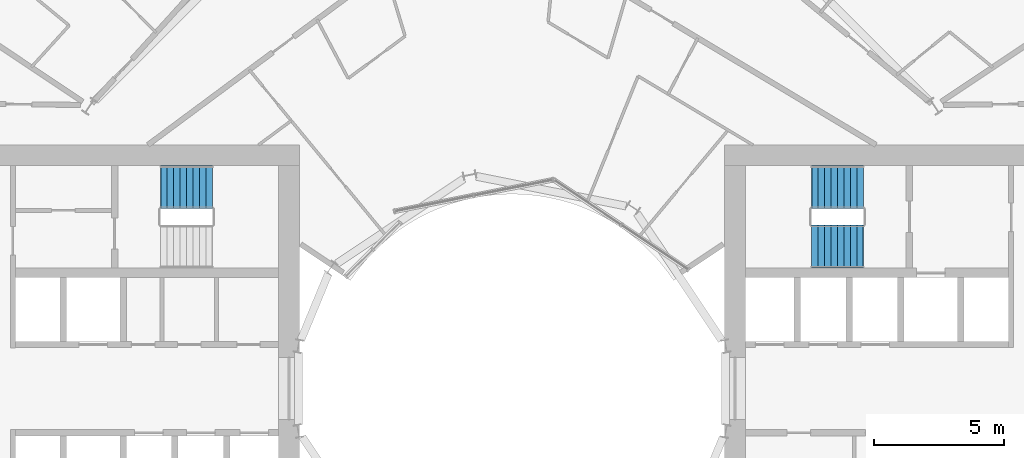
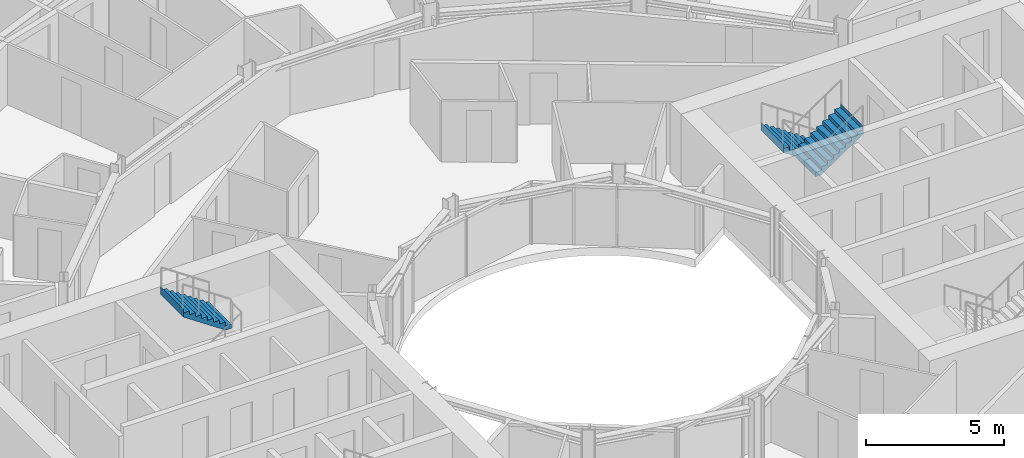
# One storey, part 24 of 26: 3 stair flights, 2 elements without a shape of their own.
"""IFC4 building model written with IfcOpenShell, lengths in metres."""

from ifc_helpers import new_model, si_unit, direction, frame, origin, place, context, subcontext, project, spatial, triangles, material, type_object, element, aggregate, save


model = new_model("IFC4")

# Units and contexts
model_context = context("Model", 3, precision=1e-05, world=origin(), true_north=direction((0.0, 1.0)))
body_context = subcontext(model_context, "Body", "Model", "MODEL_VIEW")
ifc_project = project(units=[si_unit("LENGTHUNIT", "METRE"), si_unit("AREAUNIT", "SQUARE_METRE"), si_unit("VOLUMEUNIT", "CUBIC_METRE"), si_unit("PLANEANGLEUNIT", "RADIAN"), si_unit("MASSUNIT", "GRAM", prefix="KILO")], contexts=[model_context])

# Site, building, storey
site_placement = place(None, origin())
site = spatial("IfcSite", under=ifc_project, at=site_placement, CompositionType="ELEMENT")
building_placement = place(site_placement, origin())
building = spatial("IfcBuilding", under=site, at=building_placement, Name="Maasbend Ring Residences", CompositionType="ELEMENT")
storey_placement = place(building_placement, frame((0.0, 0.0, 50.25)))
storey = spatial("IfcBuildingStorey", under=building, at=storey_placement, Name="L14", CompositionType="ELEMENT", Elevation=50.25)

# Stair, stair flights
ifc_material_1 = material(Name="Concrete C40/50", Category="concrete")
stair_type = type_object("IfcStairType", Name="CORE STAIR 18 RISERS", PredefinedType="HALF_TURN_STAIR", material=ifc_material_1)
stair_1_placement = place(storey_placement, origin())
stair_1 = element("IfcStair", 1, at=stair_1_placement, inside=storey, type_object=stair_type, Name="L14 Exit stair ST-E1", PredefinedType="HALF_TURN_STAIR")
ifc_material_2 = material(Name="Concrete C40/50", Category="concrete")
stair_flight_type = type_object("IfcStairFlightType", Name="CORE STAIR FLIGHT 1650", PredefinedType="STRAIGHT", material=ifc_material_2)
stair_flight_1_placement = place(storey_placement, frame((13.550048828125, 7.77490234375, 0.0), z_axis=(0.0, 0.0, 1.0), x_axis=(-1.0, 0.0, 0.0)))
stair_flight_1 = element("IfcStairFlight", 2, at=stair_flight_1_placement, type_object=stair_flight_type, Name="ST-E1 flight 1", NumberOfRisers=9, NumberOfTreads=8, PredefinedType="STRAIGHT", RiserHeight=0.169444444, TreadLength=0.25, context=body_context, shape_type="Tessellation", body=[
    triangles([(0.24072265625, 0.824951171875, -0.02001953125), (2.0029296875, 0.824951171875, 1.174560546875), (2.0029296875, 0.824951171875, 1.52490234375), (1.989990234375, 0.824951171875, 1.35546875), (1.75, 0.824951171875, 1.35546875), (1.75, 0.824951171875, 1.18603515625), (1.5, 0.824951171875, 1.18603515625), (1.5, 0.824951171875, 1.0166015625), (1.25, 0.824951171875, 1.0166015625), (1.25, 0.824951171875, 0.84716796875), (1.0, 0.824951171875, 0.84716796875), (1.0, 0.824951171875, 0.677734375), (0.75, 0.824951171875, 0.677734375), (0.75, 0.824951171875, 0.50830078125), (0.5, 0.824951171875, 0.50830078125), (0.5, 0.824951171875, 0.3388671875), (0.25, 0.824951171875, 0.3388671875), (0.25, 0.824951171875, 0.16943359375), (0.0, 0.824951171875, 0.16943359375), (0.0, 0.824951171875, 0.0), (-0.0029296875, 0.824951171875, 0.0), (-0.0029296875, 0.824951171875, -0.02001953125), (0.24072265625, 0.27490234375, -0.02001953125), (2.0029296875, 0.27490234375, 1.174560546875), (2.0029296875, 0.27490234375, 1.52490234375), (1.989990234375, 0.27490234375, 1.35546875), (1.75, 0.27490234375, 1.35546875), (1.75, 0.27490234375, 1.18603515625), (1.5, 0.27490234375, 1.18603515625), (1.5, 0.27490234375, 1.0166015625), (1.25, 0.27490234375, 1.0166015625), (1.25, 0.27490234375, 0.84716796875), (1.0, 0.27490234375, 0.84716796875), (1.0, 0.27490234375, 0.677734375), (0.75, 0.27490234375, 0.677734375), (0.75, 0.27490234375, 0.50830078125), (0.5, 0.27490234375, 0.50830078125), (0.5, 0.27490234375, 0.3388671875), (0.25, 0.27490234375, 0.3388671875), (0.25, 0.27490234375, 0.16943359375), (0.0, 0.27490234375, 0.16943359375), (0.0, 0.27490234375, 0.0), (-0.0029296875, 0.27490234375, 0.0), (-0.0029296875, 0.27490234375, -0.02001953125), (0.24072265625, -0.27490234375, -0.02001953125), (2.0029296875, -0.27490234375, 1.174560546875), (2.0029296875, -0.27490234375, 1.52490234375), (1.989990234375, -0.27490234375, 1.35546875), (1.75, -0.27490234375, 1.35546875), (1.75, -0.27490234375, 1.18603515625), (1.5, -0.27490234375, 1.18603515625), (1.5, -0.27490234375, 1.0166015625), (1.25, -0.27490234375, 1.0166015625), (1.25, -0.27490234375, 0.84716796875), (1.0, -0.27490234375, 0.84716796875), (1.0, -0.27490234375, 0.677734375), (0.75, -0.27490234375, 0.677734375), (0.75, -0.27490234375, 0.50830078125), (0.5, -0.27490234375, 0.50830078125), (0.5, -0.27490234375, 0.3388671875), (0.25, -0.27490234375, 0.3388671875), (0.25, -0.27490234375, 0.16943359375), (0.0, -0.27490234375, 0.16943359375), (0.0, -0.27490234375, 0.0), (-0.0029296875, -0.27490234375, 0.0), (-0.0029296875, -0.27490234375, -0.02001953125), (0.24072265625, -0.824951171875, -0.02001953125), (2.0029296875, -0.824951171875, 1.174560546875), (2.0029296875, -0.824951171875, 1.52490234375), (1.989990234375, -0.824951171875, 1.35546875), (1.75, -0.824951171875, 1.35546875), (1.75, -0.824951171875, 1.18603515625), (1.5, -0.824951171875, 1.18603515625), (1.5, -0.824951171875, 1.0166015625), (1.25, -0.824951171875, 1.0166015625), (1.25, -0.824951171875, 0.84716796875), (1.0, -0.824951171875, 0.84716796875), (1.0, -0.824951171875, 0.677734375), (0.75, -0.824951171875, 0.677734375), (0.75, -0.824951171875, 0.50830078125), (0.5, -0.824951171875, 0.50830078125), (0.5, -0.824951171875, 0.3388671875), (0.25, -0.824951171875, 0.3388671875), (0.25, -0.824951171875, 0.16943359375), (0.0, -0.824951171875, 0.16943359375), (0.0, -0.824951171875, 0.0), (-0.0029296875, -0.824951171875, 0.0), (-0.0029296875, -0.824951171875, -0.02001953125)], [[1, 2, 24], [1, 24, 23], [23, 24, 46], [23, 46, 45], [45, 46, 68], [45, 68, 67], [2, 3, 25], [2, 25, 24], [24, 25, 47], [24, 47, 46], [46, 47, 69], [46, 69, 68], [3, 4, 26], [3, 26, 25], [25, 26, 48], [25, 48, 47], [47, 48, 70], [47, 70, 69], [4, 5, 27], [4, 27, 26], [26, 27, 49], [26, 49, 48], [48, 49, 71], [48, 71, 70], [5, 6, 28], [5, 28, 27], [27, 28, 50], [27, 50, 49], [49, 50, 72], [49, 72, 71], [6, 7, 29], [6, 29, 28], [28, 29, 51], [28, 51, 50], [50, 51, 73], [50, 73, 72], [7, 8, 30], [7, 30, 29], [29, 30, 52], [29, 52, 51], [51, 52, 74], [51, 74, 73], [8, 9, 31], [8, 31, 30], [30, 31, 53], [30, 53, 52], [52, 53, 75], [52, 75, 74], [9, 10, 32], [9, 32, 31], [31, 32, 54], [31, 54, 53], [53, 54, 76], [53, 76, 75], [10, 11, 33], [10, 33, 32], [32, 33, 55], [32, 55, 54], [54, 55, 77], [54, 77, 76], [11, 12, 34], [11, 34, 33], [33, 34, 56], [33, 56, 55], [55, 56, 78], [55, 78, 77], [12, 13, 35], [12, 35, 34], [34, 35, 57], [34, 57, 56], [56, 57, 79], [56, 79, 78], [13, 14, 36], [13, 36, 35], [35, 36, 58], [35, 58, 57], [57, 58, 80], [57, 80, 79], [14, 15, 37], [14, 37, 36], [36, 37, 59], [36, 59, 58], [58, 59, 81], [58, 81, 80], [15, 16, 38], [15, 38, 37], [37, 38, 60], [37, 60, 59], [59, 60, 82], [59, 82, 81], [16, 17, 39], [16, 39, 38], [38, 39, 61], [38, 61, 60], [60, 61, 83], [60, 83, 82], [17, 18, 40], [17, 40, 39], [39, 40, 62], [39, 62, 61], [61, 62, 84], [61, 84, 83], [18, 19, 41], [18, 41, 40], [40, 41, 63], [40, 63, 62], [62, 63, 85], [62, 85, 84], [19, 20, 42], [19, 42, 41], [41, 42, 64], [41, 64, 63], [63, 64, 86], [63, 86, 85], [20, 21, 43], [20, 43, 42], [42, 43, 65], [42, 65, 64], [64, 65, 87], [64, 87, 86], [21, 22, 44], [21, 44, 43], [43, 44, 66], [43, 66, 65], [65, 66, 88], [65, 88, 87], [22, 1, 23], [22, 23, 44], [44, 23, 45], [44, 45, 66], [66, 45, 67], [66, 67, 88], [22, 2, 1], [2, 4, 3], [2, 5, 4], [2, 6, 5], [22, 6, 2], [6, 8, 7], [22, 8, 6], [8, 10, 9], [22, 10, 8], [10, 12, 11], [22, 12, 10], [12, 14, 13], [22, 14, 12], [14, 16, 15], [22, 16, 14], [16, 18, 17], [22, 18, 16], [18, 20, 19], [22, 20, 18], [20, 22, 21], [88, 67, 68], [68, 69, 70], [68, 70, 71], [68, 71, 72], [88, 68, 72], [72, 73, 74], [88, 72, 74], [74, 75, 76], [88, 74, 76], [76, 77, 78], [88, 76, 78], [78, 79, 80], [88, 78, 80], [80, 81, 82], [88, 80, 82], [82, 83, 84], [88, 82, 84], [84, 85, 86], [88, 84, 86], [86, 87, 88]], closed=True),
])
stair_flight_2_placement = place(storey_placement, frame((11.550048828125, 5.47509765625, 1.52490234375), z_axis=(0.0, 0.0, 1.0), x_axis=(1.0, 0.0, 0.0)))
stair_flight_2 = element("IfcStairFlight", 3, at=stair_flight_2_placement, type_object=stair_flight_type, Name="ST-E1 flight 2", NumberOfRisers=9, NumberOfTreads=8, PredefinedType="STRAIGHT", RiserHeight=0.169444444, TreadLength=0.25, context=body_context, shape_type="Tessellation", body=[
    triangles([(0.24072265625, 0.824951171875, -0.02001953125), (2.0029296875, 0.824951171875, 1.174560546875), (2.0029296875, 0.824951171875, 1.52490234375), (1.989990234375, 0.824951171875, 1.35546875), (1.75, 0.824951171875, 1.35546875), (1.75, 0.824951171875, 1.18603515625), (1.5, 0.824951171875, 1.18603515625), (1.5, 0.824951171875, 1.0166015625), (1.25, 0.824951171875, 1.0166015625), (1.25, 0.824951171875, 0.84716796875), (1.0, 0.824951171875, 0.84716796875), (1.0, 0.824951171875, 0.677734375), (0.75, 0.824951171875, 0.677734375), (0.75, 0.824951171875, 0.50830078125), (0.5, 0.824951171875, 0.50830078125), (0.5, 0.824951171875, 0.3388671875), (0.25, 0.824951171875, 0.3388671875), (0.25, 0.824951171875, 0.16943359375), (0.0, 0.824951171875, 0.16943359375), (0.0, 0.824951171875, 0.0), (-0.0029296875, 0.824951171875, 0.0), (-0.0029296875, 0.824951171875, -0.02001953125), (0.24072265625, 0.27490234375, -0.02001953125), (2.0029296875, 0.27490234375, 1.174560546875), (2.0029296875, 0.27490234375, 1.52490234375), (1.989990234375, 0.27490234375, 1.35546875), (1.75, 0.27490234375, 1.35546875), (1.75, 0.27490234375, 1.18603515625), (1.5, 0.27490234375, 1.18603515625), (1.5, 0.27490234375, 1.0166015625), (1.25, 0.27490234375, 1.0166015625), (1.25, 0.27490234375, 0.84716796875), (1.0, 0.27490234375, 0.84716796875), (1.0, 0.27490234375, 0.677734375), (0.75, 0.27490234375, 0.677734375), (0.75, 0.27490234375, 0.50830078125), (0.5, 0.27490234375, 0.50830078125), (0.5, 0.27490234375, 0.3388671875), (0.25, 0.27490234375, 0.3388671875), (0.25, 0.27490234375, 0.16943359375), (0.0, 0.27490234375, 0.16943359375), (0.0, 0.27490234375, 0.0), (-0.0029296875, 0.27490234375, 0.0), (-0.0029296875, 0.27490234375, -0.02001953125), (0.24072265625, -0.27490234375, -0.02001953125), (2.0029296875, -0.27490234375, 1.174560546875), (2.0029296875, -0.27490234375, 1.52490234375), (1.989990234375, -0.27490234375, 1.35546875), (1.75, -0.27490234375, 1.35546875), (1.75, -0.27490234375, 1.18603515625), (1.5, -0.27490234375, 1.18603515625), (1.5, -0.27490234375, 1.0166015625), (1.25, -0.27490234375, 1.0166015625), (1.25, -0.27490234375, 0.84716796875), (1.0, -0.27490234375, 0.84716796875), (1.0, -0.27490234375, 0.677734375), (0.75, -0.27490234375, 0.677734375), (0.75, -0.27490234375, 0.50830078125), (0.5, -0.27490234375, 0.50830078125), (0.5, -0.27490234375, 0.3388671875), (0.25, -0.27490234375, 0.3388671875), (0.25, -0.27490234375, 0.16943359375), (0.0, -0.27490234375, 0.16943359375), (0.0, -0.27490234375, 0.0), (-0.0029296875, -0.27490234375, 0.0), (-0.0029296875, -0.27490234375, -0.02001953125), (0.24072265625, -0.824951171875, -0.02001953125), (2.0029296875, -0.824951171875, 1.174560546875), (2.0029296875, -0.824951171875, 1.52490234375), (1.989990234375, -0.824951171875, 1.35546875), (1.75, -0.824951171875, 1.35546875), (1.75, -0.824951171875, 1.18603515625), (1.5, -0.824951171875, 1.18603515625), (1.5, -0.824951171875, 1.0166015625), (1.25, -0.824951171875, 1.0166015625), (1.25, -0.824951171875, 0.84716796875), (1.0, -0.824951171875, 0.84716796875), (1.0, -0.824951171875, 0.677734375), (0.75, -0.824951171875, 0.677734375), (0.75, -0.824951171875, 0.50830078125), (0.5, -0.824951171875, 0.50830078125), (0.5, -0.824951171875, 0.3388671875), (0.25, -0.824951171875, 0.3388671875), (0.25, -0.824951171875, 0.16943359375), (0.0, -0.824951171875, 0.16943359375), (0.0, -0.824951171875, 0.0), (-0.0029296875, -0.824951171875, 0.0), (-0.0029296875, -0.824951171875, -0.02001953125)], [[1, 2, 24], [1, 24, 23], [23, 24, 46], [23, 46, 45], [45, 46, 68], [45, 68, 67], [2, 3, 25], [2, 25, 24], [24, 25, 47], [24, 47, 46], [46, 47, 69], [46, 69, 68], [3, 4, 26], [3, 26, 25], [25, 26, 48], [25, 48, 47], [47, 48, 70], [47, 70, 69], [4, 5, 27], [4, 27, 26], [26, 27, 49], [26, 49, 48], [48, 49, 71], [48, 71, 70], [5, 6, 28], [5, 28, 27], [27, 28, 50], [27, 50, 49], [49, 50, 72], [49, 72, 71], [6, 7, 29], [6, 29, 28], [28, 29, 51], [28, 51, 50], [50, 51, 73], [50, 73, 72], [7, 8, 30], [7, 30, 29], [29, 30, 52], [29, 52, 51], [51, 52, 74], [51, 74, 73], [8, 9, 31], [8, 31, 30], [30, 31, 53], [30, 53, 52], [52, 53, 75], [52, 75, 74], [9, 10, 32], [9, 32, 31], [31, 32, 54], [31, 54, 53], [53, 54, 76], [53, 76, 75], [10, 11, 33], [10, 33, 32], [32, 33, 55], [32, 55, 54], [54, 55, 77], [54, 77, 76], [11, 12, 34], [11, 34, 33], [33, 34, 56], [33, 56, 55], [55, 56, 78], [55, 78, 77], [12, 13, 35], [12, 35, 34], [34, 35, 57], [34, 57, 56], [56, 57, 79], [56, 79, 78], [13, 14, 36], [13, 36, 35], [35, 36, 58], [35, 58, 57], [57, 58, 80], [57, 80, 79], [14, 15, 37], [14, 37, 36], [36, 37, 59], [36, 59, 58], [58, 59, 81], [58, 81, 80], [15, 16, 38], [15, 38, 37], [37, 38, 60], [37, 60, 59], [59, 60, 82], [59, 82, 81], [16, 17, 39], [16, 39, 38], [38, 39, 61], [38, 61, 60], [60, 61, 83], [60, 83, 82], [17, 18, 40], [17, 40, 39], [39, 40, 62], [39, 62, 61], [61, 62, 84], [61, 84, 83], [18, 19, 41], [18, 41, 40], [40, 41, 63], [40, 63, 62], [62, 63, 85], [62, 85, 84], [19, 20, 42], [19, 42, 41], [41, 42, 64], [41, 64, 63], [63, 64, 86], [63, 86, 85], [20, 21, 43], [20, 43, 42], [42, 43, 65], [42, 65, 64], [64, 65, 87], [64, 87, 86], [21, 22, 44], [21, 44, 43], [43, 44, 66], [43, 66, 65], [65, 66, 88], [65, 88, 87], [22, 1, 23], [22, 23, 44], [44, 23, 45], [44, 45, 66], [66, 45, 67], [66, 67, 88], [22, 2, 1], [2, 4, 3], [2, 5, 4], [2, 6, 5], [22, 6, 2], [6, 8, 7], [22, 8, 6], [8, 10, 9], [22, 10, 8], [10, 12, 11], [22, 12, 10], [12, 14, 13], [22, 14, 12], [14, 16, 15], [22, 16, 14], [16, 18, 17], [22, 18, 16], [18, 20, 19], [22, 20, 18], [20, 22, 21], [88, 67, 68], [68, 69, 70], [68, 70, 71], [68, 71, 72], [88, 68, 72], [72, 73, 74], [88, 72, 74], [74, 75, 76], [88, 74, 76], [76, 77, 78], [88, 76, 78], [78, 79, 80], [88, 78, 80], [80, 81, 82], [88, 80, 82], [82, 83, 84], [88, 82, 84], [84, 85, 86], [88, 84, 86], [86, 87, 88]], closed=True),
])
aggregate(stair_1, [stair_flight_1, stair_flight_2])

# Stair, stair flight
stair_2_placement = place(storey_placement, origin())
stair_2 = element("IfcStair", 4, at=stair_2_placement, inside=storey, type_object=stair_type, Name="L14 Exit stair ST-W2", PredefinedType="HALF_TURN_STAIR")
stair_flight_3_placement = place(storey_placement, frame((-11.550048828125, 7.77490234375, 1.52490234375), z_axis=(0.0, 0.0, 1.0), x_axis=(-1.0, 0.0, 0.0)))
stair_flight_3 = element("IfcStairFlight", 5, at=stair_flight_3_placement, type_object=stair_flight_type, Name="ST-W2 flight 2", NumberOfRisers=9, NumberOfTreads=8, PredefinedType="STRAIGHT", RiserHeight=0.169444444, TreadLength=0.25, context=body_context, shape_type="Tessellation", body=[
    triangles([(0.24072265625, 0.824951171875, -0.02001953125), (2.0029296875, 0.824951171875, 1.174560546875), (2.0029296875, 0.824951171875, 1.52490234375), (1.989990234375, 0.824951171875, 1.35546875), (1.75, 0.824951171875, 1.35546875), (1.75, 0.824951171875, 1.18603515625), (1.5, 0.824951171875, 1.18603515625), (1.5, 0.824951171875, 1.0166015625), (1.25, 0.824951171875, 1.0166015625), (1.25, 0.824951171875, 0.84716796875), (1.0, 0.824951171875, 0.84716796875), (1.0, 0.824951171875, 0.677734375), (0.75, 0.824951171875, 0.677734375), (0.75, 0.824951171875, 0.50830078125), (0.5, 0.824951171875, 0.50830078125), (0.5, 0.824951171875, 0.3388671875), (0.25, 0.824951171875, 0.3388671875), (0.25, 0.824951171875, 0.16943359375), (0.0, 0.824951171875, 0.16943359375), (0.0, 0.824951171875, 0.0), (-0.0029296875, 0.824951171875, 0.0), (-0.0029296875, 0.824951171875, -0.02001953125), (0.24072265625, 0.27490234375, -0.02001953125), (2.0029296875, 0.27490234375, 1.174560546875), (2.0029296875, 0.27490234375, 1.52490234375), (1.989990234375, 0.27490234375, 1.35546875), (1.75, 0.27490234375, 1.35546875), (1.75, 0.27490234375, 1.18603515625), (1.5, 0.27490234375, 1.18603515625), (1.5, 0.27490234375, 1.0166015625), (1.25, 0.27490234375, 1.0166015625), (1.25, 0.27490234375, 0.84716796875), (1.0, 0.27490234375, 0.84716796875), (1.0, 0.27490234375, 0.677734375), (0.75, 0.27490234375, 0.677734375), (0.75, 0.27490234375, 0.50830078125), (0.5, 0.27490234375, 0.50830078125), (0.5, 0.27490234375, 0.3388671875), (0.25, 0.27490234375, 0.3388671875), (0.25, 0.27490234375, 0.16943359375), (0.0, 0.27490234375, 0.16943359375), (0.0, 0.27490234375, 0.0), (-0.0029296875, 0.27490234375, 0.0), (-0.0029296875, 0.27490234375, -0.02001953125), (0.24072265625, -0.27490234375, -0.02001953125), (2.0029296875, -0.27490234375, 1.174560546875), (2.0029296875, -0.27490234375, 1.52490234375), (1.989990234375, -0.27490234375, 1.35546875), (1.75, -0.27490234375, 1.35546875), (1.75, -0.27490234375, 1.18603515625), (1.5, -0.27490234375, 1.18603515625), (1.5, -0.27490234375, 1.0166015625), (1.25, -0.27490234375, 1.0166015625), (1.25, -0.27490234375, 0.84716796875), (1.0, -0.27490234375, 0.84716796875), (1.0, -0.27490234375, 0.677734375), (0.75, -0.27490234375, 0.677734375), (0.75, -0.27490234375, 0.50830078125), (0.5, -0.27490234375, 0.50830078125), (0.5, -0.27490234375, 0.3388671875), (0.25, -0.27490234375, 0.3388671875), (0.25, -0.27490234375, 0.16943359375), (0.0, -0.27490234375, 0.16943359375), (0.0, -0.27490234375, 0.0), (-0.0029296875, -0.27490234375, 0.0), (-0.0029296875, -0.27490234375, -0.02001953125), (0.24072265625, -0.824951171875, -0.02001953125), (2.0029296875, -0.824951171875, 1.174560546875), (2.0029296875, -0.824951171875, 1.52490234375), (1.989990234375, -0.824951171875, 1.35546875), (1.75, -0.824951171875, 1.35546875), (1.75, -0.824951171875, 1.18603515625), (1.5, -0.824951171875, 1.18603515625), (1.5, -0.824951171875, 1.0166015625), (1.25, -0.824951171875, 1.0166015625), (1.25, -0.824951171875, 0.84716796875), (1.0, -0.824951171875, 0.84716796875), (1.0, -0.824951171875, 0.677734375), (0.75, -0.824951171875, 0.677734375), (0.75, -0.824951171875, 0.50830078125), (0.5, -0.824951171875, 0.50830078125), (0.5, -0.824951171875, 0.3388671875), (0.25, -0.824951171875, 0.3388671875), (0.25, -0.824951171875, 0.16943359375), (0.0, -0.824951171875, 0.16943359375), (0.0, -0.824951171875, 0.0), (-0.0029296875, -0.824951171875, 0.0), (-0.0029296875, -0.824951171875, -0.02001953125)], [[1, 2, 24], [1, 24, 23], [23, 24, 46], [23, 46, 45], [45, 46, 68], [45, 68, 67], [2, 3, 25], [2, 25, 24], [24, 25, 47], [24, 47, 46], [46, 47, 69], [46, 69, 68], [3, 4, 26], [3, 26, 25], [25, 26, 48], [25, 48, 47], [47, 48, 70], [47, 70, 69], [4, 5, 27], [4, 27, 26], [26, 27, 49], [26, 49, 48], [48, 49, 71], [48, 71, 70], [5, 6, 28], [5, 28, 27], [27, 28, 50], [27, 50, 49], [49, 50, 72], [49, 72, 71], [6, 7, 29], [6, 29, 28], [28, 29, 51], [28, 51, 50], [50, 51, 73], [50, 73, 72], [7, 8, 30], [7, 30, 29], [29, 30, 52], [29, 52, 51], [51, 52, 74], [51, 74, 73], [8, 9, 31], [8, 31, 30], [30, 31, 53], [30, 53, 52], [52, 53, 75], [52, 75, 74], [9, 10, 32], [9, 32, 31], [31, 32, 54], [31, 54, 53], [53, 54, 76], [53, 76, 75], [10, 11, 33], [10, 33, 32], [32, 33, 55], [32, 55, 54], [54, 55, 77], [54, 77, 76], [11, 12, 34], [11, 34, 33], [33, 34, 56], [33, 56, 55], [55, 56, 78], [55, 78, 77], [12, 13, 35], [12, 35, 34], [34, 35, 57], [34, 57, 56], [56, 57, 79], [56, 79, 78], [13, 14, 36], [13, 36, 35], [35, 36, 58], [35, 58, 57], [57, 58, 80], [57, 80, 79], [14, 15, 37], [14, 37, 36], [36, 37, 59], [36, 59, 58], [58, 59, 81], [58, 81, 80], [15, 16, 38], [15, 38, 37], [37, 38, 60], [37, 60, 59], [59, 60, 82], [59, 82, 81], [16, 17, 39], [16, 39, 38], [38, 39, 61], [38, 61, 60], [60, 61, 83], [60, 83, 82], [17, 18, 40], [17, 40, 39], [39, 40, 62], [39, 62, 61], [61, 62, 84], [61, 84, 83], [18, 19, 41], [18, 41, 40], [40, 41, 63], [40, 63, 62], [62, 63, 85], [62, 85, 84], [19, 20, 42], [19, 42, 41], [41, 42, 64], [41, 64, 63], [63, 64, 86], [63, 86, 85], [20, 21, 43], [20, 43, 42], [42, 43, 65], [42, 65, 64], [64, 65, 87], [64, 87, 86], [21, 22, 44], [21, 44, 43], [43, 44, 66], [43, 66, 65], [65, 66, 88], [65, 88, 87], [22, 1, 23], [22, 23, 44], [44, 23, 45], [44, 45, 66], [66, 45, 67], [66, 67, 88], [22, 2, 1], [2, 4, 3], [2, 5, 4], [2, 6, 5], [22, 6, 2], [6, 8, 7], [22, 8, 6], [8, 10, 9], [22, 10, 8], [10, 12, 11], [22, 12, 10], [12, 14, 13], [22, 14, 12], [14, 16, 15], [22, 16, 14], [16, 18, 17], [22, 18, 16], [18, 20, 19], [22, 20, 18], [20, 22, 21], [88, 67, 68], [68, 69, 70], [68, 70, 71], [68, 71, 72], [88, 68, 72], [72, 73, 74], [88, 72, 74], [74, 75, 76], [88, 74, 76], [76, 77, 78], [88, 76, 78], [78, 79, 80], [88, 78, 80], [80, 81, 82], [88, 80, 82], [82, 83, 84], [88, 82, 84], [84, 85, 86], [88, 84, 86], [86, 87, 88]], closed=True),
])
aggregate(stair_2, [stair_flight_3])

save(model, "model.ifc")
